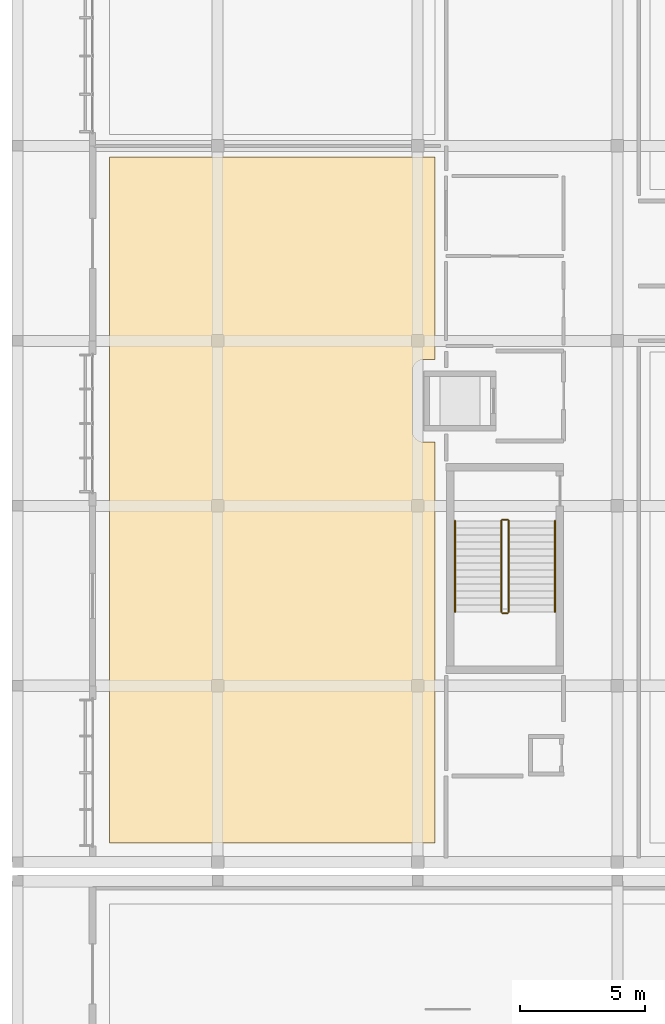
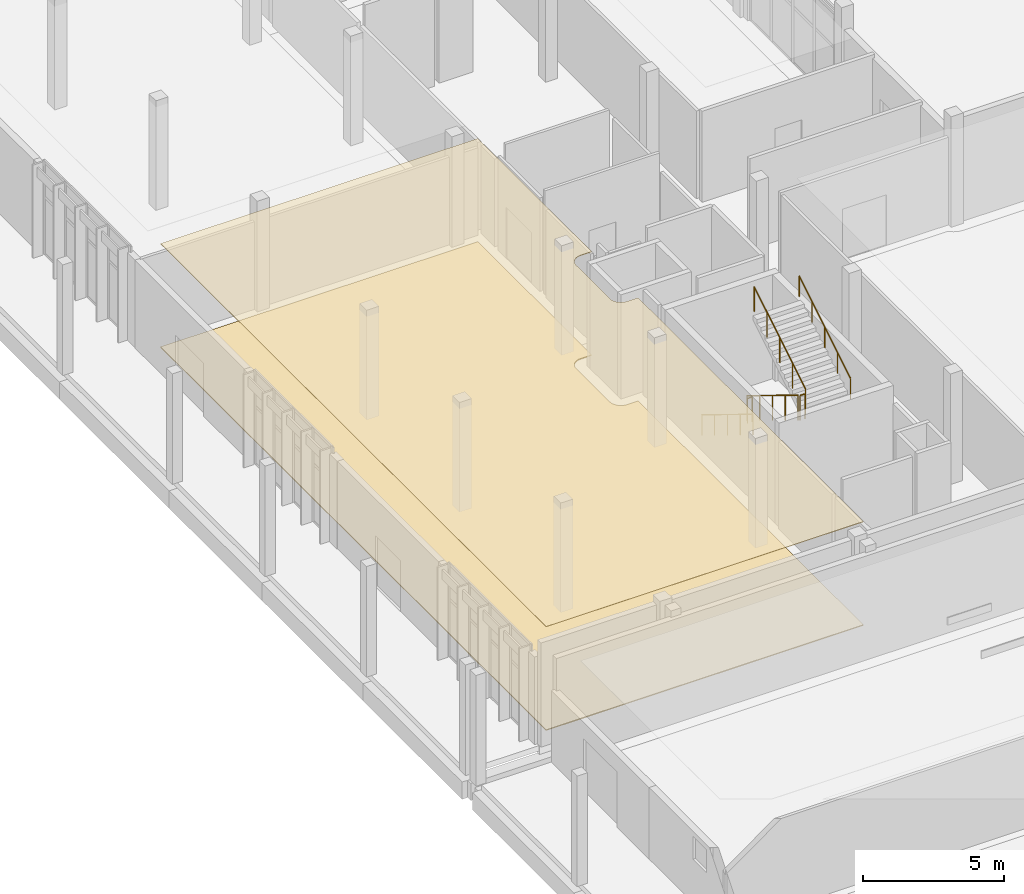
# One storey, part 136 of 151: 6 railings, 2 coverings.
"""IFC4 building model written with IfcOpenShell, lengths in metres."""

from ifc_helpers import new_model, si_unit, direction, frame, origin, origin_2d, place, context, subcontext, project, spatial, polyline, circle, outline, extrude, material, layer, layer_set, type_object, element, save


model = new_model("IFC4")

# Units and contexts
model_context = context("Model", 3, precision=1e-05, world=origin(), true_north=direction((0.0, 1.0)))
body_context = subcontext(model_context, "Body", "Model", "MODEL_VIEW")
ifc_project = project(units=[si_unit("LENGTHUNIT", "METRE"), si_unit("AREAUNIT", "SQUARE_METRE"), si_unit("VOLUMEUNIT", "CUBIC_METRE"), si_unit("PLANEANGLEUNIT", "RADIAN"), si_unit("MASSUNIT", "GRAM", prefix="KILO")], contexts=[model_context])

# Site, building, storey
site_placement = place(None, origin())
site = spatial("IfcSite", under=ifc_project, at=site_placement, CompositionType="ELEMENT")
building_placement = place(site_placement, origin())
building = spatial("IfcBuilding", under=site, at=building_placement, Name="Chiffa Square Polytechnic", CompositionType="ELEMENT")
storey_placement = place(building_placement, origin())
storey = spatial("IfcBuildingStorey", under=building, at=storey_placement, Name="L00", CompositionType="ELEMENT", Elevation=0.0)

# Coverings
ifc_material_1 = material(Name="Perforated gypsum acoustic board")
ifc_layer_1 = layer(ifc_material_1, 0.02490234375, Name="Perforated gypsum acoustic board")
ifc_layer_set_1 = layer_set([ifc_layer_1], Name="Perforated gypsum acoustic board")
covering_type_1 = type_object("IfcCoveringType", Name="COV-CEIL-GYP", PredefinedType="CEILING", material=ifc_layer_set_1)
covering_1_placement = place(storey_placement, frame((0.0, 0.0, 4.4970703125)))
element("IfcCovering", 1, at=covering_1_placement, inside=storey, type_object=covering_type_1, Name="Suspended acoustic ceiling CL-V6-L00-018", PredefinedType="CEILING", context=body_context, shape_type="SweptSolid", body=[
    extrude(outline(polyline([(16.699951171875, 64.949951171875), (16.699951171875, 56.85009765625), (16.25, 56.85009765625), (16.2060546875, 56.847900390625), (16.162109375, 56.841064453125), (16.118896484375, 56.8310546875), (16.077880859375, 56.81591796875), (16.0380859375, 56.797119140625), (16.0, 56.77392578125), (15.965087890625, 56.748046875), (15.931884765625, 56.718017578125), (15.902099609375, 56.68505859375), (15.8759765625, 56.64990234375), (15.85302734375, 56.612060546875), (15.833984375, 56.572021484375), (15.819091796875, 56.531005859375), (15.80908203125, 56.488037109375), (15.802001953125, 56.444091796875), (15.800048828125, 56.39990234375), (15.800048828125, 54.0), (15.802001953125, 53.9560546875), (15.80908203125, 53.912109375), (15.819091796875, 53.868896484375), (15.833984375, 53.827880859375), (15.85302734375, 53.7880859375), (15.8759765625, 53.75), (15.902099609375, 53.715087890625), (15.931884765625, 53.681884765625), (15.965087890625, 53.652099609375), (16.0, 53.6259765625), (16.0380859375, 53.60302734375), (16.077880859375, 53.583984375), (16.118896484375, 53.569091796875), (16.162109375, 53.55908203125), (16.2060546875, 53.552001953125), (16.25, 53.550048828125), (16.699951171875, 53.550048828125), (16.699951171875, 37.52001953125), (3.669921875, 37.52001953125), (3.669921875, 64.949951171875), (16.699951171875, 64.949951171875)])), origin(), (0.0, 0.0, 1.0), 0.02490234375),
])
ifc_material_2 = material(Name="Polished cementitious terrazzo")
ifc_layer_2 = layer(ifc_material_2, 0.0400390625, Name="Polished cementitious terrazzo")
ifc_layer_set_2 = layer_set([ifc_layer_2], Name="Polished cementitious terrazzo")
covering_type_2 = type_object("IfcCoveringType", Name="COV-FLR-TERRAZZO", PredefinedType="FLOORING", material=ifc_layer_set_2)
covering_2_placement = place(storey_placement, origin())
element("IfcCovering", 2, at=covering_2_placement, inside=storey, type_object=covering_type_2, Name="Polished terrazzo floor finish FL-V6-L00-017", PredefinedType="FLOORING", context=body_context, shape_type="SweptSolid", body=[
    extrude(outline(polyline([(16.699951171875, 64.949951171875), (16.699951171875, 56.85009765625), (16.25, 56.85009765625), (16.2060546875, 56.847900390625), (16.162109375, 56.841064453125), (16.118896484375, 56.8310546875), (16.077880859375, 56.81591796875), (16.0380859375, 56.797119140625), (16.0, 56.77392578125), (15.965087890625, 56.748046875), (15.931884765625, 56.718017578125), (15.902099609375, 56.68505859375), (15.8759765625, 56.64990234375), (15.85302734375, 56.612060546875), (15.833984375, 56.572021484375), (15.819091796875, 56.531005859375), (15.80908203125, 56.488037109375), (15.802001953125, 56.444091796875), (15.800048828125, 56.39990234375), (15.800048828125, 54.0), (15.802001953125, 53.9560546875), (15.80908203125, 53.912109375), (15.819091796875, 53.868896484375), (15.833984375, 53.827880859375), (15.85302734375, 53.7880859375), (15.8759765625, 53.75), (15.902099609375, 53.715087890625), (15.931884765625, 53.681884765625), (15.965087890625, 53.652099609375), (16.0, 53.6259765625), (16.0380859375, 53.60302734375), (16.077880859375, 53.583984375), (16.118896484375, 53.569091796875), (16.162109375, 53.55908203125), (16.2060546875, 53.552001953125), (16.25, 53.550048828125), (16.699951171875, 53.550048828125), (16.699951171875, 37.52001953125), (3.669921875, 37.52001953125), (3.669921875, 64.949951171875), (16.699951171875, 64.949951171875)])), origin(), (0.0, 0.0, 1.0), 0.0400390625),
])

# Railings
ifc_material_3 = material(Name="Steel S355", Category="steel")
ifc_layer_3 = layer(ifc_material_3, 0.050048828125, Name="Steel S355")
ifc_layer_set_3 = layer_set([ifc_layer_3], Name="Steel S355")
railing_type_1 = type_object("IfcRailingType", Name="RL-STAIR-GUARD", PredefinedType="GUARDRAIL", material=ifc_layer_set_3)
railing_1_placement = place(storey_placement, frame((19.35009765625, 50.39990234375, 0.17138671875)))
element("IfcRailing", 3, at=railing_1_placement, inside=storey, type_object=railing_type_1, Name="L00 ST-V6A stair guard 1", PredefinedType="GUARDRAIL", context=body_context, shape_type="SweptSolid", body=[
    extrude(circle(Radius=0.02392578125, at=origin_2d()), frame((0.0, 0.0, 1.076171875), z_axis=(0.0, -0.852850264322, 0.5221555579), x_axis=(1.0, 0.0, 0.0)), (0.0, 0.0, 1.0), 4.267822265625),
    extrude(circle(Radius=0.02099609375, at=origin_2d()), origin(), (0.0, 0.0, 1.0), 1.052001953125),
    extrude(circle(Radius=0.02099609375, at=origin_2d()), frame((0.0, -0.909912109375, 0.55712890625)), (0.0, 0.0, 1.0), 1.052001953125),
    extrude(circle(Radius=0.02099609375, at=origin_2d()), frame((0.0, -1.81982421875, 1.1142578125)), (0.0, 0.0, 1.0), 1.052001953125),
    extrude(circle(Radius=0.02099609375, at=origin_2d()), frame((0.0, -2.72998046875, 1.67138671875)), (0.0, 0.0, 1.0), 1.052001953125),
    extrude(circle(Radius=0.02099609375, at=origin_2d()), frame((0.0, -3.639892578125, 2.228515625)), (0.0, 0.0, 1.0), 1.052001953125),
])
railing_2_placement = place(storey_placement, frame((19.39990234375, 46.7099609375, 2.39990234375)))
element("IfcRailing", 4, at=railing_2_placement, inside=storey, type_object=railing_type_1, Name="L00 ST-V6A stair guard 2", PredefinedType="GUARDRAIL", context=body_context, shape_type="SweptSolid", body=[
    extrude(circle(Radius=0.02392578125, at=origin_2d()), frame((0.0, 0.0, 1.076171875), z_axis=(1.0, 0.0, 0.0), x_axis=(0.0, 1.0, 0.0)), (0.0, 0.0, 1.0), 0.2001953125),
    extrude(circle(Radius=0.02099609375, at=origin_2d()), origin(), (0.0, 0.0, 1.0), 1.052001953125),
    extrude(circle(Radius=0.02099609375, at=origin_2d()), frame((0.2001953125, 0.0, 0.0)), (0.0, 0.0, 1.0), 1.052001953125),
])
railing_3_placement = place(storey_placement, frame((19.64990234375, 46.760009765625, 2.571533203125)))
element("IfcRailing", 5, at=railing_3_placement, inside=storey, type_object=railing_type_1, Name="L00 ST-V6A stair guard 3", PredefinedType="GUARDRAIL", context=body_context, shape_type="SweptSolid", body=[
    extrude(circle(Radius=0.02392578125, at=origin_2d()), frame((0.0, 0.0, 1.076171875), z_axis=(0.0, 0.852850264322, 0.5221555579), x_axis=(-1.0, 0.0, 0.0)), (0.0, 0.0, 1.0), 4.267822265625),
    extrude(circle(Radius=0.02099609375, at=origin_2d()), origin(), (0.0, 0.0, 1.0), 1.052001953125),
    extrude(circle(Radius=0.02099609375, at=origin_2d()), frame((0.0, 0.909912109375, 0.55712890625)), (0.0, 0.0, 1.0), 1.052001953125),
    extrude(circle(Radius=0.02099609375, at=origin_2d()), frame((0.0, 1.81982421875, 1.1142578125)), (0.0, 0.0, 1.0), 1.052001953125),
    extrude(circle(Radius=0.02099609375, at=origin_2d()), frame((0.0, 2.72998046875, 1.67138671875)), (0.0, 0.0, 1.0), 1.052001953125),
    extrude(circle(Radius=0.02099609375, at=origin_2d()), frame((0.0, 3.639892578125, 2.228515625)), (0.0, 0.0, 1.0), 1.052001953125),
])
railing_4_placement = place(storey_placement, frame((19.39990234375, 50.449951171875, 0.0)))
element("IfcRailing", 6, at=railing_4_placement, inside=storey, type_object=railing_type_1, Name="L00 ST-V6A stair guard 4", PredefinedType="GUARDRAIL", context=body_context, shape_type="SweptSolid", body=[
    extrude(circle(Radius=0.02392578125, at=origin_2d()), frame((0.0, 0.0, 1.076171875), z_axis=(1.0, 0.0, 0.0), x_axis=(0.0, 1.0, 0.0)), (0.0, 0.0, 1.0), 0.2001953125),
    extrude(circle(Radius=0.02099609375, at=origin_2d()), origin(), (0.0, 0.0, 1.0), 1.052001953125),
    extrude(circle(Radius=0.02099609375, at=origin_2d()), frame((0.2001953125, 0.0, 0.0)), (0.0, 0.0, 1.0), 1.052001953125),
])
ifc_layer_4 = layer(ifc_material_3, 0.044921875, Name="Steel S355")
ifc_layer_set_4 = layer_set([ifc_layer_4], Name="Steel S355")
railing_type_2 = type_object("IfcRailingType", Name="RL-STAIR-HAND", PredefinedType="HANDRAIL", material=ifc_layer_set_4)
railing_5_placement = place(storey_placement, frame((17.5, 50.39990234375, 0.17138671875)))
element("IfcRailing", 7, at=railing_5_placement, inside=storey, type_object=railing_type_2, Name="L00 ST-V6A stair handrail 1", PredefinedType="HANDRAIL", context=body_context, shape_type="SweptSolid", body=[
    extrude(circle(Radius=0.02392578125, at=origin_2d()), frame((0.0, 0.0, 0.89599609375), z_axis=(0.0, -0.852850264322, 0.5221555579), x_axis=(1.0, 0.0, 0.0)), (0.0, 0.0, 1.0), 4.267822265625),
    extrude(circle(Radius=0.02099609375, at=origin_2d()), origin(), (0.0, 0.0, 1.0), 0.871826171875),
    extrude(circle(Radius=0.02099609375, at=origin_2d()), frame((0.0, -0.909912109375, 0.55712890625)), (0.0, 0.0, 1.0), 0.871826171875),
    extrude(circle(Radius=0.02099609375, at=origin_2d()), frame((0.0, -1.81982421875, 1.1142578125)), (0.0, 0.0, 1.0), 0.871826171875),
    extrude(circle(Radius=0.02099609375, at=origin_2d()), frame((0.0, -2.72998046875, 1.67138671875)), (0.0, 0.0, 1.0), 0.871826171875),
    extrude(circle(Radius=0.02099609375, at=origin_2d()), frame((0.0, -3.639892578125, 2.228515625)), (0.0, 0.0, 1.0), 0.871826171875),
])
railing_6_placement = place(storey_placement, frame((21.5, 46.760009765625, 2.571533203125)))
element("IfcRailing", 8, at=railing_6_placement, inside=storey, type_object=railing_type_2, Name="L00 ST-V6A stair handrail 2", PredefinedType="HANDRAIL", context=body_context, shape_type="SweptSolid", body=[
    extrude(circle(Radius=0.02392578125, at=origin_2d()), frame((0.0, 0.0, 0.89599609375), z_axis=(0.0, 0.852850264322, 0.5221555579), x_axis=(-1.0, 0.0, 0.0)), (0.0, 0.0, 1.0), 4.267822265625),
    extrude(circle(Radius=0.02099609375, at=origin_2d()), origin(), (0.0, 0.0, 1.0), 0.871826171875),
    extrude(circle(Radius=0.02099609375, at=origin_2d()), frame((0.0, 0.909912109375, 0.55712890625)), (0.0, 0.0, 1.0), 0.871826171875),
    extrude(circle(Radius=0.02099609375, at=origin_2d()), frame((0.0, 1.81982421875, 1.1142578125)), (0.0, 0.0, 1.0), 0.871826171875),
    extrude(circle(Radius=0.02099609375, at=origin_2d()), frame((0.0, 2.72998046875, 1.67138671875)), (0.0, 0.0, 1.0), 0.871826171875),
    extrude(circle(Radius=0.02099609375, at=origin_2d()), frame((0.0, 3.639892578125, 2.228515625)), (0.0, 0.0, 1.0), 0.871826171875),
])

save(model, "model.ifc")
